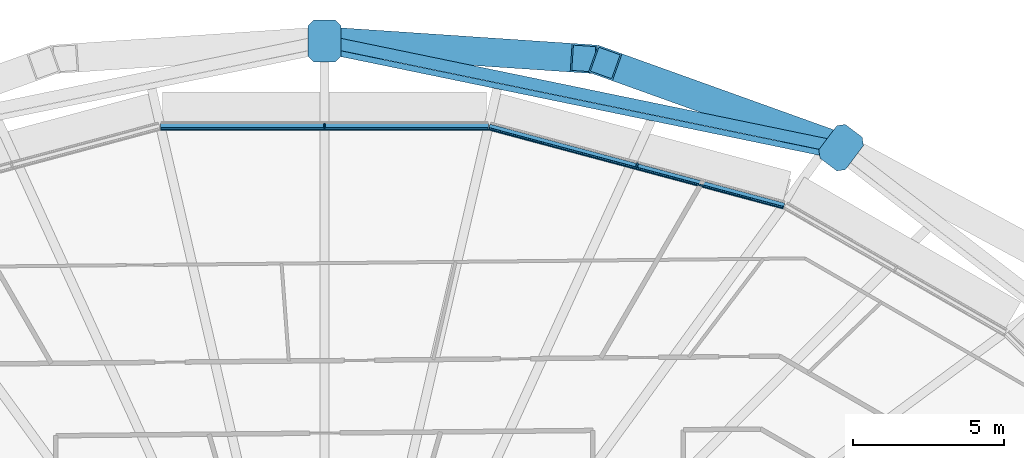
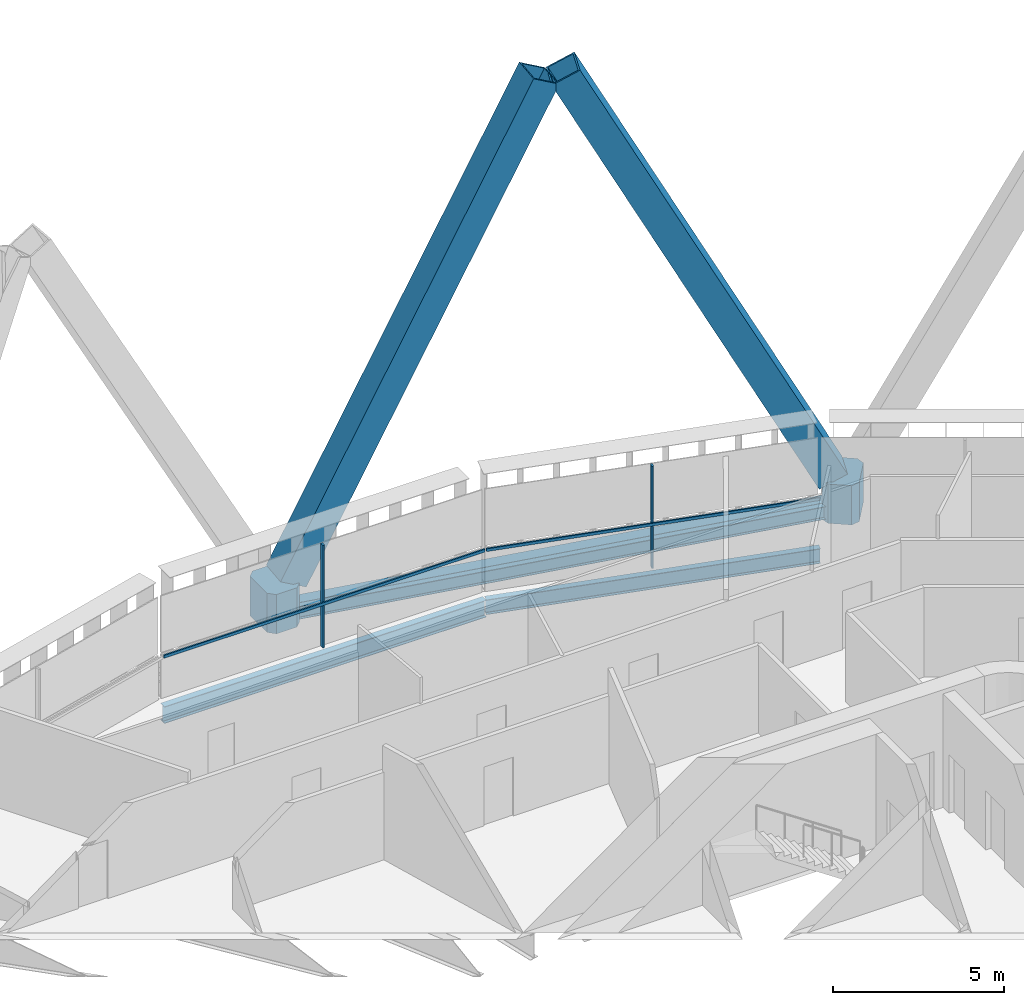
# One storey, part 10 of 25: 8 members, 4 beams, 2 elements without a shape of their own.
"""IFC4 building model written with IfcOpenShell, lengths in metres."""

from ifc_helpers import new_model, si_unit, direction, frame, origin, origin_2d, place, context, subcontext, project, spatial, polyline, rectangle, hollow_rectangle, i_section, outline, extrude, material, layer, layer_set, material_profile, profile_set, type_object, element, aggregate, save


model = new_model("IFC4")

# Units and contexts
model_context = context("Model", 3, precision=1e-05, world=origin(), true_north=direction((0.0, 1.0)))
body_context = subcontext(model_context, "Body", "Model", "MODEL_VIEW")
ifc_project = project(units=[si_unit("LENGTHUNIT", "METRE"), si_unit("AREAUNIT", "SQUARE_METRE"), si_unit("VOLUMEUNIT", "CUBIC_METRE"), si_unit("PLANEANGLEUNIT", "RADIAN"), si_unit("MASSUNIT", "GRAM", prefix="KILO")], contexts=[model_context])

# Site, building, storey
site_placement = place(None, origin())
site = spatial("IfcSite", under=ifc_project, at=site_placement, CompositionType="ELEMENT")
building_placement = place(site_placement, origin())
building = spatial("IfcBuilding", under=site, at=building_placement, Name="Sahrelin Media Tower", CompositionType="ELEMENT")
storey_placement = place(building_placement, frame((0.0, 0.0, 79.800048828125)))
storey = spatial("IfcBuildingStorey", under=building, at=storey_placement, Name="L14", CompositionType="ELEMENT", Elevation=79.800048828125)

# Members
ifc_material_1 = material(Name="Steel S460", Category="steel")
ifc_material_profile_1 = material_profile(ifc_material_1, hollow_rectangle(XDim=0.949951171875, YDim=0.949951171875, WallThickness=0.054931640625, at=origin_2d()), Name="Diagrid diagonal DG2")
ifc_profile_set_1 = profile_set([ifc_material_profile_1], Name="Steel S460")
member_type_1 = type_object("IfcMemberType", Name="Diagrid diagonal DG2", PredefinedType="BRACE", material=ifc_profile_set_1)
member_1_placement = place(storey_placement, frame((16.786376953125, 22.9541015625, 0.699951171875), z_axis=(-0.431548900161, 0.154946779536, 0.888682756827), x_axis=(-0.337926169392, -0.941172621808, 0.0)))
element("IfcMember", 1, at=member_1_placement, inside=storey, type_object=member_type_1, Name="Diagrid diagonal D02-04", PredefinedType="BRACE", context=body_context, shape_type="SweptSolid", body=[
    extrude(hollow_rectangle(XDim=0.949951171875, YDim=0.949951171875, WallThickness=0.054931640625, at=origin_2d()), origin(), (0.0, 0.0, 1.0), 17.328857421875),
])
member_2_placement = place(storey_placement, frame((0.373779296875, 26.339111328125, 0.699951171875), z_axis=(0.470683324445, -0.031647275081, 0.881734460067), x_axis=(0.067085404611, 0.997747236773, 0.0)))
element("IfcMember", 2, at=member_2_placement, inside=storey, type_object=member_type_1, Name="Diagrid diagonal D02-05", PredefinedType="BRACE", context=body_context, shape_type="SweptSolid", body=[
    extrude(hollow_rectangle(XDim=0.949951171875, YDim=0.949951171875, WallThickness=0.054931640625, at=origin_2d()), origin(), (0.0, 0.0, 1.0), 17.465576171875),
])
ifc_material_profile_2 = material_profile(ifc_material_1, outline(polyline([(0.5, -0.550048828125), (0.699951171875, -0.35009765625), (0.699951171875, 0.35009765625), (0.5, 0.550048828125), (-0.5, 0.550048828125), (-0.699951171875, 0.35009765625), (-0.699951171875, -0.35009765625), (-0.5, -0.550048828125), (0.5, -0.550048828125)])), Name="Diagrid node block 1400")
ifc_profile_set_2 = profile_set([ifc_material_profile_2], Name="Steel S460")
member_type_2 = type_object("IfcMemberType", Name="Diagrid node block 1400", PredefinedType="USERDEFINED", material=ifc_profile_set_2)
for number, where, z_axis, x_axis, name in (
    (3, (17.126220703125, 22.83203125, -0.699951171875), (0.0, 0.0, 1.0), (0.600051693363, 0.799961227368, 0.0), "Diagrid node N02-02"),
    (4, (0.0, 26.364013671875, -0.699951171875), (0.0, 0.0, 1.0), (0.0, 1.0, 0.0), "Diagrid node N02-03"),
):
    element("IfcMember", number, at=place(storey_placement, frame(where, z_axis=z_axis, x_axis=x_axis)), inside=storey, type_object=member_type_2, Name=name, ObjectType="NODE", PredefinedType="USERDEFINED", context=body_context, shape_type="SweptSolid", body=[
        extrude(outline(polyline([(0.5, -0.550048828125), (0.699951171875, -0.35009765625), (0.699951171875, 0.35009765625), (0.5, 0.550048828125), (-0.5, 0.550048828125), (-0.699951171875, 0.35009765625), (-0.699951171875, -0.35009765625), (-0.5, -0.550048828125), (0.5, -0.550048828125)])), origin(), (0.0, 0.0, 1.0), 1.39990234375),
    ])

# Beams
ifc_material_profile_3 = material_profile(ifc_material_1, hollow_rectangle(XDim=0.39990234375, YDim=0.60009765625, WallThickness=0.030029296875, at=origin_2d()), Name="Diagrid ring beam RB1")
ifc_profile_set_3 = profile_set([ifc_material_profile_3], Name="Steel S460")
beam_type_1 = type_object("IfcBeamType", Name="Diagrid ring beam RB1", PredefinedType="BEAM", material=ifc_profile_set_3)
beam_1_placement = place(storey_placement, frame((17.126220703125, 22.83203125, -0.449951171875), z_axis=(-0.979389265781, 0.2019818459, 0.0), x_axis=(-0.2019818459, -0.979389265781, 0.0)))
element("IfcBeam", 5, at=beam_1_placement, inside=storey, type_object=beam_type_1, Name="Diagrid ring beam RB02-02", PredefinedType="BEAM", context=body_context, shape_type="SweptSolid", body=[
    extrude(hollow_rectangle(XDim=0.39990234375, YDim=0.60009765625, WallThickness=0.030029296875, at=origin_2d()), origin(), (0.0, 0.0, 1.0), 17.486572265625),
])
ifc_material_2 = material(Name="Steel S355", Category="steel")
ifc_material_profile_4 = material_profile(ifc_material_2, i_section(OverallWidth=0.208740234375, OverallDepth=0.5283203125, WebThickness=0.009521484375, FlangeThickness=0.01318359375, FilletRadius=0.0126953125, at=origin_2d()), Name="UB 533x210x82")
ifc_profile_set_4 = profile_set([ifc_material_profile_4], Name="Steel S355")
beam_type_2 = type_object("IfcBeamType", Name="Edge beam EB6", PredefinedType="BEAM", material=ifc_profile_set_4)
beam_2_placement = place(storey_placement, frame((5.46142578125, 23.51025390625, -0.414306640625), z_axis=(0.965927364405, -0.258813304707, 0.0), x_axis=(0.258813304707, 0.965927364405, 0.0)))
element("IfcBeam", 6, at=beam_2_placement, inside=storey, type_object=beam_type_2, Name="Edge beam L14-20", PredefinedType="BEAM", context=body_context, shape_type="SweptSolid", body=[
    extrude(i_section(OverallWidth=0.208740234375, OverallDepth=0.5283203125, WebThickness=0.009521484375, FlangeThickness=0.01318359375, FilletRadius=0.0126953125, at=origin_2d()), origin(), (0.0, 0.0, 1.0), 10.1142578125),
])
ifc_material_profile_5 = material_profile(ifc_material_2, i_section(OverallWidth=0.2275390625, OverallDepth=0.6025390625, WebThickness=0.010498046875, FlangeThickness=0.014892578125, FilletRadius=0.0126953125, at=origin_2d()), Name="UB 610x229x101")
ifc_profile_set_5 = profile_set([ifc_material_profile_5], Name="Steel S355")
beam_type_3 = type_object("IfcBeamType", Name="Edge beam EB7", PredefinedType="BEAM", material=ifc_profile_set_5)
beam_3_placement = place(storey_placement, frame((-5.432861328125, 23.51416015625, -0.451416015625), z_axis=(1.0, 0.0, 0.0), x_axis=(0.0, 1.0, 0.0)))
element("IfcBeam", 7, at=beam_3_placement, inside=storey, type_object=beam_type_3, Name="Edge beam L14-19", PredefinedType="BEAM", context=body_context, shape_type="SweptSolid", body=[
    extrude(i_section(OverallWidth=0.2275390625, OverallDepth=0.6025390625, WebThickness=0.010498046875, FlangeThickness=0.014892578125, FilletRadius=0.0126953125, at=origin_2d()), origin(), (0.0, 0.0, 1.0), 10.86572265625),
])

# Curtain wall, member
ifc_material_3 = material(Name="Champagne anodised aluminium 6063-T6", Category="aluminium")
ifc_layer = layer(ifc_material_3, 0.14990234375)
ifc_layer_set = layer_set([ifc_layer], Name="Tower ribbon curtain wall")
curtain_wall_type = type_object("IfcCurtainWallType", Name="Tower ribbon curtain wall", PredefinedType="NOTDEFINED", material=ifc_layer_set)
curtain_wall_1_placement = place(storey_placement, frame((10.385009765625, 22.346435546875, 0.0), z_axis=(0.0, 0.0, 1.0), x_axis=(1.0, 0.0, 0.0)))
curtain_wall_1 = element("IfcCurtainWall", 8, at=curtain_wall_1_placement, inside=storey, type_object=curtain_wall_type, Name="L14:CW:L14-05", PredefinedType="NOTDEFINED")
ifc_material_profile_6 = material_profile(ifc_material_3, rectangle(XDim=0.06005859375, YDim=0.14990234375, at=origin_2d()), Name="Mullion 60x150")
ifc_profile_set_6 = profile_set([ifc_material_profile_6], Name="Champagne anodised aluminium 6063-T6")
member_type_3 = type_object("IfcMemberType", Name="Mullion 60x150 CW1", PredefinedType="MULLION", material=ifc_profile_set_6)
member_3_placement = place(storey_placement, frame((10.360595703125, 22.254638671875, 0.0), z_axis=(0.0, 0.0, 1.0), x_axis=(-0.965924922834, 0.258822416818, 0.0)))
member_3 = element("IfcMember", 9, at=member_3_placement, type_object=member_type_3, Name="L14:CWM:L14-05", PredefinedType="MULLION", context=body_context, shape_type="SweptSolid", body=[
    extrude(rectangle(XDim=0.06005859375, YDim=0.14990234375, at=origin_2d()), origin(), (0.0, 0.0, 1.0), 3.6484375),
])

curtain_wall_2_placement = place(storey_placement, frame((0.0, 23.6640625, 0.0), z_axis=(0.0, 0.0, 1.0), x_axis=(1.0, 0.0, 0.0)))
curtain_wall_2 = element("IfcCurtainWall", 10, at=curtain_wall_2_placement, inside=storey, type_object=curtain_wall_type, Name="L14:CW:L14-06", PredefinedType="NOTDEFINED")
member_4_placement = place(storey_placement, frame((0.0, 23.569091796875, 0.0), z_axis=(0.0, 0.0, 1.0), x_axis=(-1.0, 0.0, 0.0)))
member_4 = element("IfcMember", 11, at=member_4_placement, type_object=member_type_3, Name="L14:CWM:L14-06", PredefinedType="MULLION", context=body_context, shape_type="SweptSolid", body=[
    extrude(rectangle(XDim=0.06005859375, YDim=0.14990234375, at=origin_2d()), origin(), (0.0, 0.0, 1.0), 3.6484375),
])

# Beam
ifc_material_profile_7 = material_profile(ifc_material_2, i_section(OverallWidth=0.1904296875, OverallDepth=0.45703125, WebThickness=0.009033203125, FlangeThickness=0.014404296875, FilletRadius=0.01025390625, at=origin_2d()), Name="UB 457x191x74")
ifc_profile_set_7 = profile_set([ifc_material_profile_7], Name="Steel S355")
beam_type_4 = type_object("IfcBeamType", Name="Tie chord TC5", PredefinedType="BEAM", material=ifc_profile_set_7)
beam_4_placement = place(storey_placement, frame((0.0, 26.0576171875, -0.378662109375), z_axis=(0.979388508786, -0.201985516455, 0.0), x_axis=(0.201985516455, 0.979388508786, 0.0)))
element("IfcBeam", 12, at=beam_4_placement, inside=storey, type_object=beam_type_4, Name="Tie chord L14-10", PredefinedType="BEAM", context=body_context, shape_type="SweptSolid", body=[
    extrude(i_section(OverallWidth=0.1904296875, OverallDepth=0.45703125, WebThickness=0.009033203125, FlangeThickness=0.014404296875, FilletRadius=0.01025390625, at=origin_2d()), origin(), (0.0, 0.0, 1.0), 17.355712890625),
])

# Member
ifc_material_profile_8 = material_profile(ifc_material_3, rectangle(XDim=0.050048828125, YDim=0.10009765625, at=origin_2d()), Name="Transom 50x100")
ifc_profile_set_8 = profile_set([ifc_material_profile_8], Name="Champagne anodised aluminium 6063-T6")
member_type_4 = type_object("IfcMemberType", Name="Transom 50x100 CW1", PredefinedType="USERDEFINED", material=ifc_profile_set_8)
member_5_placement = place(storey_placement, frame((15.2041015625, 20.853271484375, 1.599853515625), z_axis=(-0.965924380906, 0.258824439285, 0.0), x_axis=(-0.258824439285, -0.965924380906, 0.0)))
member_5 = element("IfcMember", 13, at=member_5_placement, type_object=member_type_4, Name="L14:CWT:L14-05", ObjectType="TRANSOM", PredefinedType="USERDEFINED", context=body_context, shape_type="SweptSolid", body=[
    extrude(rectangle(XDim=0.050048828125, YDim=0.10009765625, at=origin_2d()), origin(), (0.0, 0.0, 1.0), 10.08251953125),
])

aggregate(curtain_wall_1, [member_3, member_5])

member_6_placement = place(storey_placement, frame((5.417236328125, 23.468994140625, 1.599853515625), z_axis=(-1.0, 0.0, 0.0), x_axis=(0.0, -1.0, 0.0)))
member_6 = element("IfcMember", 14, at=member_6_placement, type_object=member_type_4, Name="L14:CWT:L14-06", ObjectType="TRANSOM", PredefinedType="USERDEFINED", context=body_context, shape_type="SweptSolid", body=[
    extrude(rectangle(XDim=0.050048828125, YDim=0.10009765625, at=origin_2d()), origin(), (0.0, 0.0, 1.0), 10.83447265625),
])

aggregate(curtain_wall_2, [member_4, member_6])

save(model, "model.ifc")
